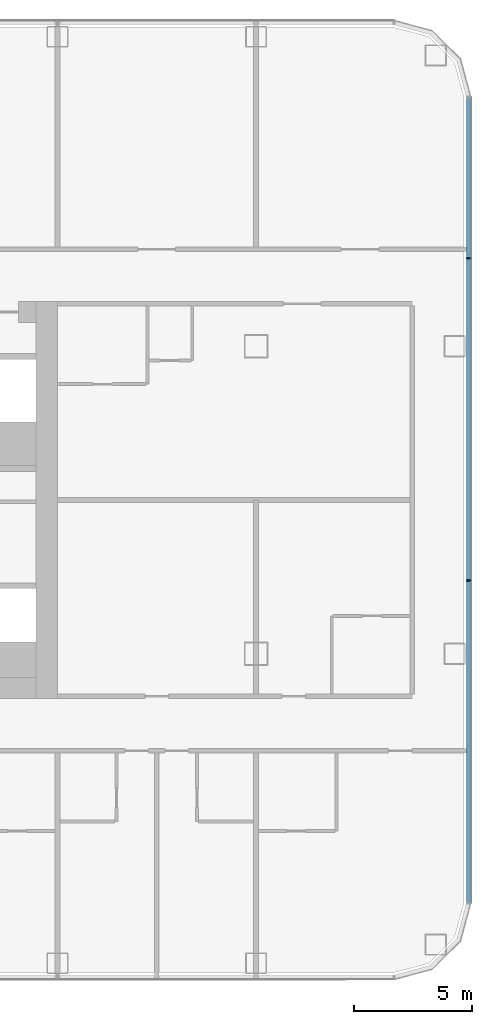
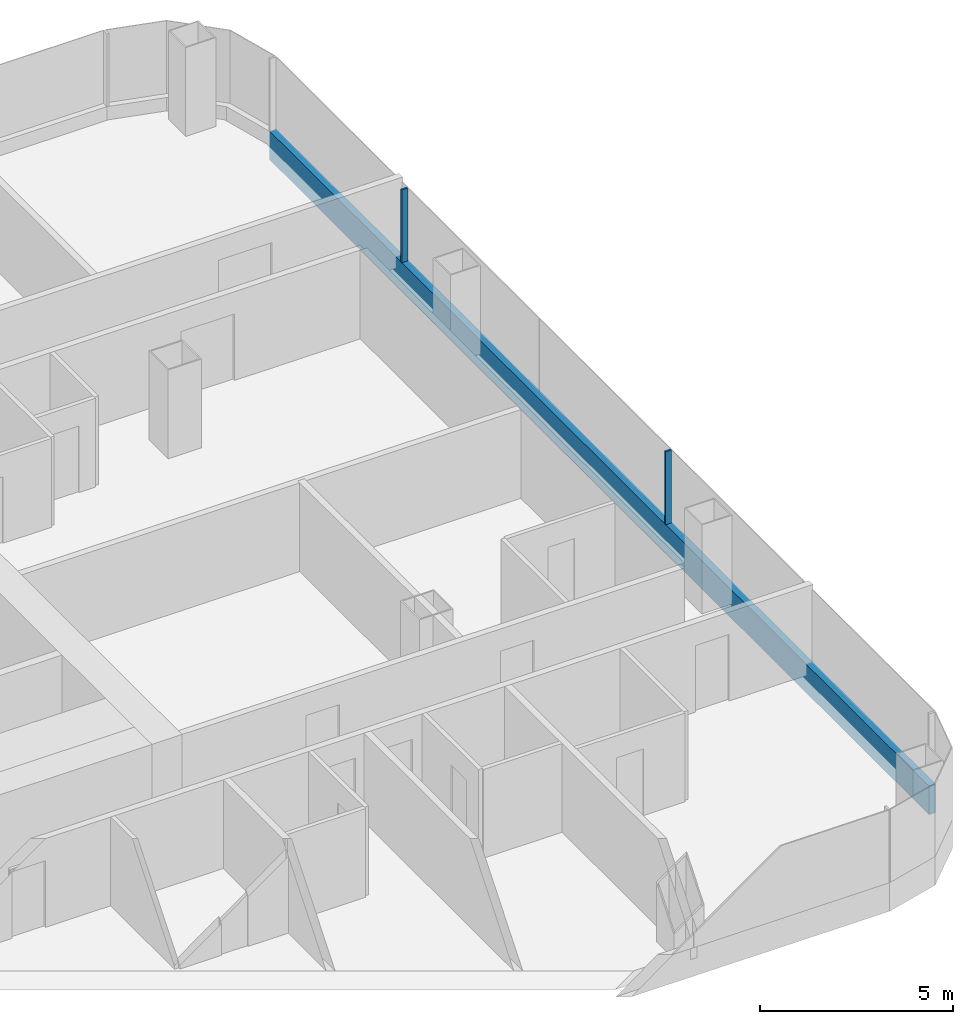
# One storey, part 10 of 29: 3 members, 1 element without a shape of its own.
"""IFC4 building model written with IfcOpenShell, lengths in metres."""

from ifc_helpers import new_model, si_unit, direction, frame, origin, origin_2d, place, context, subcontext, project, spatial, rectangle, extrude, material, layer, layer_set, material_profile, profile_set, type_object, element, aggregate, save


model = new_model("IFC4")

# Units and contexts
model_context = context("Model", 3, precision=1e-05, world=origin(), true_north=direction((0.0, 1.0)))
body_context = subcontext(model_context, "Body", "Model", "MODEL_VIEW")
ifc_project = project(units=[si_unit("LENGTHUNIT", "METRE"), si_unit("AREAUNIT", "SQUARE_METRE"), si_unit("VOLUMEUNIT", "CUBIC_METRE"), si_unit("PLANEANGLEUNIT", "RADIAN"), si_unit("MASSUNIT", "GRAM", prefix="KILO")], contexts=[model_context])

# Site, building, storey
site_placement = place(None, origin())
site = spatial("IfcSite", under=ifc_project, at=site_placement, CompositionType="ELEMENT")
building_placement = place(site_placement, origin())
building = spatial("IfcBuilding", under=site, at=building_placement, Name="Hakoniwa Tower and Hamabe Station Hall", CompositionType="ELEMENT")
storey_placement = place(building_placement, frame((0.0, 0.0, 45.39990234375)))
storey = spatial("IfcBuildingStorey", under=building, at=storey_placement, Name="L12", CompositionType="ELEMENT", Elevation=45.39990234375)

# Curtain wall, members
ifc_material_1 = material(Name="Dark low-e laminated glass", Category="glass")
ifc_layer = layer(ifc_material_1, 0.199951171875)
ifc_layer_set = layer_set([ifc_layer], Name="CW-1 UNITISED GUEST")
curtain_wall_type = type_object("IfcCurtainWallType", Name="CW-1 UNITISED GUEST", PredefinedType="NOTDEFINED", material=ifc_layer_set)
curtain_wall_placement = place(storey_placement, origin())
curtain_wall = element("IfcCurtainWall", 1, at=curtain_wall_placement, inside=storey, type_object=curtain_wall_type, Name="CW-1 curtain wall", PredefinedType="NOTDEFINED")
ifc_material_2 = material(Name="Aluminium 6063-T5 black anodised", Category="aluminium")
ifc_material_profile_1 = material_profile(ifc_material_2, rectangle(XDim=0.199951171875, YDim=0.89990234375, at=origin_2d()), Name="CW SLAB-EDGE BAND 900X200")
ifc_profile_set_1 = profile_set([ifc_material_profile_1], Name="Aluminium 6063-T5 black anodised")
member_type_1 = type_object("IfcMemberType", Name="CW SLAB-EDGE BAND 900X200", PredefinedType="USERDEFINED", material=ifc_profile_set_1)
member_1_placement = place(storey_placement, frame((51.0, -17.03955078125, -0.099853515625), z_axis=(0.0, 1.0, 0.0), x_axis=(-1.0, 0.0, 0.0)))
member_1 = element("IfcMember", 2, at=member_1_placement, type_object=member_type_1, Name="CW-1 transom", ObjectType="TRANSOM", PredefinedType="USERDEFINED", context=body_context, shape_type="SweptSolid", body=[
    extrude(rectangle(XDim=0.199951171875, YDim=0.89990234375, at=origin_2d()), origin(), (0.0, 0.0, 1.0), 34.0791015625),
])
ifc_material_3 = material(Name="Aluminium 6063-T5 black anodised", Category="aluminium")
ifc_material_profile_2 = material_profile(ifc_material_3, rectangle(XDim=0.06005859375, YDim=0.179931640625, at=origin_2d()), Name="CW-1 MULLION 60X180")
ifc_profile_set_2 = profile_set([ifc_material_profile_2], Name="Aluminium 6063-T5 black anodised")
member_type_2 = type_object("IfcMemberType", Name="CW-1 MULLION 60X180", PredefinedType="MULLION", material=ifc_profile_set_2)
member_2_placement = place(storey_placement, frame((50.98193359375, -3.407958984375, 0.35009765625), z_axis=(0.0, 0.0, 1.0), x_axis=(0.0, 1.0, 0.0)))
member_2 = element("IfcMember", 3, at=member_2_placement, type_object=member_type_2, Name="CW-1 mullion", PredefinedType="MULLION", context=body_context, shape_type="SweptSolid", body=[
    extrude(rectangle(XDim=0.06005859375, YDim=0.179931640625, at=origin_2d()), origin(), (0.0, 0.0, 1.0), 2.300048828125),
])
member_3_placement = place(storey_placement, frame((50.98193359375, 10.2236328125, 0.35009765625), z_axis=(0.0, 0.0, 1.0), x_axis=(0.0, 1.0, 0.0)))
member_3 = element("IfcMember", 4, at=member_3_placement, type_object=member_type_2, Name="CW-1 mullion", PredefinedType="MULLION", context=body_context, shape_type="SweptSolid", body=[
    extrude(rectangle(XDim=0.06005859375, YDim=0.179931640625, at=origin_2d()), origin(), (0.0, 0.0, 1.0), 2.300048828125),
])
aggregate(curtain_wall, [member_2, member_3, member_1])

save(model, "model.ifc")
